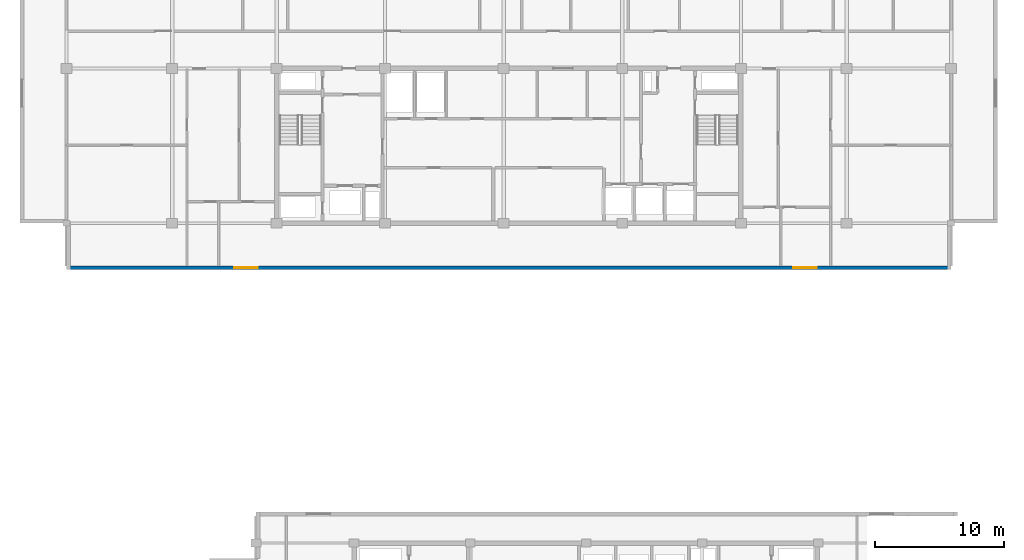
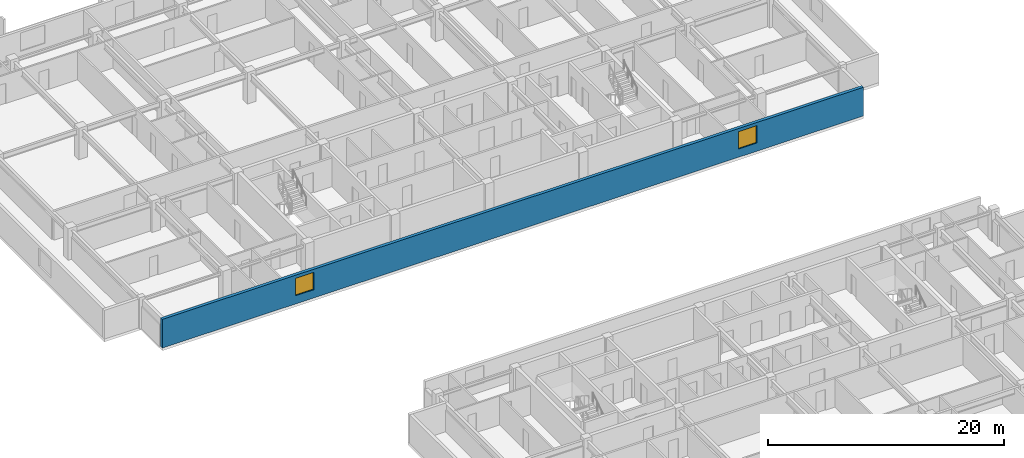
# One storey, part 8 of 21: 2 windows, 1 wall, 2 openings.
"""IFC4 building model written with IfcOpenShell, lengths in metres."""

import ifcopenshell
import ifcopenshell.guid

model = None  # the IFC model being written
_history = None  # IfcOwnerHistory: only IFC2X3 demands one
_inside = {}  # id of a spatial element -> (the spatial element, [elements in it])
_under = {}  # id of a project, library or spatial element -> (it, [spatial elements below it])
_declared = {}  # id of a project -> (the project, [libraries it declares])
_typed = {}  # id of a type object -> (the type object, [elements of that type])
_made_of = {}  # id of a material, layer set ... -> (it, [elements and type objects made of it])


def new_model(schema):
    """Start an empty IFC model of exactly this schema.

    Asked for "IFC4X3", IfcOpenShell would pick the latest addendum, in which some entities
    have other attributes; the version numbers below select the first issue.
    IFC2X3 requires an IfcOwnerHistory on every rooted entity: one is made here for all.
    """
    global model, _history
    if schema == "IFC4X3":
        model = ifcopenshell.file(schema_version=(4, 3, 0, 0))
    else:
        model = ifcopenshell.file(schema=schema)
    _inside.clear()
    _under.clear()
    _declared.clear()
    _typed.clear()
    _made_of.clear()
    _history = None
    if model.schema == "IFC2X3":
        org = make("IfcOrganization", Name="unknown")
        user = make(
            "IfcPersonAndOrganization",
            ThePerson=make("IfcPerson", FamilyName="unknown"),
            TheOrganization=org,
        )
        app = make(
            "IfcApplication",
            ApplicationDeveloper=org,
            Version="unknown",
            ApplicationFullName="unknown",
            ApplicationIdentifier="unknown",
        )
        _history = make(
            "IfcOwnerHistory",
            OwningUser=user,
            OwningApplication=app,
            ChangeAction="ADDED",
            CreationDate=0,
        )
    return model


def make(cls, **values):
    """One entity of the class cls with the attributes given. An attribute that is None is left unset."""
    return model.create_entity(
        cls, **{name: value for name, value in values.items() if value is not None}
    )


def rooted(cls, **values):
    """An entity with a GlobalId (a new one), such as an element, a storey or a relation."""
    return make(cls, GlobalId=ifcopenshell.guid.new(), OwnerHistory=_history, **values)


def si_unit(unit_type, name, prefix=None):
    """IfcSIUnit, for example si_unit("LENGTHUNIT", "METRE", prefix="MILLI")."""
    return make("IfcSIUnit", UnitType=unit_type, Prefix=prefix, Name=name)


def assignment(units):
    """IfcUnitAssignment: the units of a project."""
    return None if units is None else make("IfcUnitAssignment", Units=units)


def point(xyz):
    """IfcCartesianPoint."""
    return None if xyz is None else make("IfcCartesianPoint", Coordinates=xyz)


def direction(xyz):
    """IfcDirection."""
    return None if xyz is None else make("IfcDirection", DirectionRatios=xyz)


def frame(location, z_axis=None, x_axis=None):
    """IfcAxis2Placement3D, a coordinate frame: its origin and axes. An axis left out is left unset."""
    return make(
        "IfcAxis2Placement3D",
        Location=point(location),
        Axis=direction(z_axis),
        RefDirection=direction(x_axis),
    )


def frame_2d(location, x_axis=None):
    """IfcAxis2Placement2D, a coordinate frame in the plane: its origin and x axis."""
    return make(
        "IfcAxis2Placement2D", Location=point(location), RefDirection=direction(x_axis)
    )


def origin():
    """The frame at (0, 0, 0) with its axes left unset."""
    return frame((0.0, 0.0, 0.0))


def place(relative_to, where):
    """IfcLocalPlacement: puts the frame where relative to a parent placement (None: the world)."""
    return make(
        "IfcLocalPlacement", PlacementRelTo=relative_to, RelativePlacement=where
    )


def context(
    kind, dimensions, precision=None, world=None, true_north=None, identifier=None
):
    """IfcGeometricRepresentationContext, for example the 3D "Model" context."""
    return make(
        "IfcGeometricRepresentationContext",
        ContextIdentifier=identifier,
        ContextType=kind,
        CoordinateSpaceDimension=dimensions,
        Precision=precision,
        WorldCoordinateSystem=world,
        TrueNorth=true_north,
    )


def subcontext(parent, identifier, kind, view, scale=None):
    """IfcGeometricRepresentationSubContext, for example "Body" below "Model"."""
    return make(
        "IfcGeometricRepresentationSubContext",
        ContextIdentifier=identifier,
        ContextType=kind,
        ParentContext=parent,
        TargetScale=scale,
        TargetView=view,
    )


def project(units=None, contexts=None):
    """IfcProject with its units and contexts."""
    return rooted(
        "IfcProject",
        Name="project",
        RepresentationContexts=contexts,
        UnitsInContext=assignment(units),
    )


def spatial(cls, under=None, at=None, **own):
    """A site, building, storey or space (cls), placed at a placement, below another one or the project."""
    s = rooted(cls, ObjectPlacement=at, **own)
    if under is not None:
        _under.setdefault(under.id(), (under, []))[1].append(s)
    return s


def profile(cls, at=None, kind="AREA", **sizes):
    """A parametric profile (cls). Its sizes go by their IFC names, for example OverallWidth=200.0."""
    return make(cls, ProfileType=kind, Position=at, **sizes)


def rectangle(**sizes):
    """IfcRectangleProfileDef."""
    return profile("IfcRectangleProfileDef", **sizes)


def extrude(swept, where, along, depth):
    """IfcExtrudedAreaSolid: the profile swept, set in the frame where, extruded along a direction by depth."""
    return make(
        "IfcExtrudedAreaSolid",
        SweptArea=swept,
        Position=where,
        ExtrudedDirection=direction(along),
        Depth=depth,
    )


def shape(context_of_items, identifier, shape_type, items):
    """IfcShapeRepresentation: the items that make up one representation, for example the "Body"."""
    return make(
        "IfcShapeRepresentation",
        ContextOfItems=context_of_items,
        RepresentationIdentifier=identifier,
        RepresentationType=shape_type,
        Items=items,
    )


def material(Name=None, Category=None):
    """IfcMaterial."""
    return make("IfcMaterial", Name=Name, Category=Category)


def layer(
    of_material, thickness, ventilated=None, Name=None, Category=None, Priority=None
):
    """IfcMaterialLayer: one layer of a wall or slab, of a material (None: an air gap)."""
    return make(
        "IfcMaterialLayer",
        Material=of_material,
        LayerThickness=thickness,
        IsVentilated=ventilated,
        Name=Name,
        Category=Category,
        Priority=Priority,
    )


def layer_set(layers, Name=None):
    """IfcMaterialLayerSet."""
    return make("IfcMaterialLayerSet", MaterialLayers=layers, LayerSetName=Name)


def made_of(thing, what):
    """Note that an element or type object is made of a material, layer set ...; save() writes the relation."""
    if what is not None:
        _made_of.setdefault(what.id(), (what, []))[1].append(thing)
    return thing


def type_object(cls, material=None, **own):
    """A type object (cls), such as IfcWallType, which elements share."""
    return made_of(rooted(cls, **own), material)


def element(
    cls,
    number,
    at=None,
    inside=None,
    cuts=None,
    type_object=None,
    material=None,
    context=None,
    identifier="Body",
    shape_type=None,
    held_by="IfcProductDefinitionShape",
    body=None,
    shapes=None,
    **own,
):
    """One element of the class cls, such as IfcWall. Its Tag is "e" and its number.

    at: its placement. inside: the storey or other place that contains it. cuts: it is an
    opening in that element (IfcRelVoidsElement). A single representation is given by context,
    identifier, shape_type and body (its items); several are given by shapes. held_by: the class
    of the entity that holds the representations. save() writes the other relations.
    """
    e = rooted(cls, Tag="e%d" % number, ObjectPlacement=at, **own)
    if body is not None:
        shapes = [shape(context, identifier, shape_type, body)]
    if shapes is not None:
        e.Representation = make(held_by, Representations=shapes)
    if inside is not None:
        _inside.setdefault(inside.id(), (inside, []))[1].append(e)
    if cuts is not None:
        rooted(
            "IfcRelVoidsElement", RelatingBuildingElement=cuts, RelatedOpeningElement=e
        )
    if type_object is not None:
        _typed.setdefault(type_object.id(), (type_object, []))[1].append(e)
    return made_of(e, material)


def fill(opening, filler):
    """IfcRelFillsElement: the door or window that sits in an opening."""
    return rooted(
        "IfcRelFillsElement",
        RelatingOpeningElement=opening,
        RelatedBuildingElement=filler,
    )


def aggregate(whole, parts):
    """IfcRelAggregates: a whole, such as a stair, and the parts it consists of."""
    return rooted("IfcRelAggregates", RelatingObject=whole, RelatedObjects=parts)


def save(model, path):
    """Write the relations noted so far, then the file.

    IfcRelAggregates (storeys below a building ...), IfcRelContainedInSpatialStructure (elements
    in a storey), IfcRelDefinesByType, IfcRelAssociatesMaterial and IfcRelDeclares: one each for
    every whole, place, type object, material and project.
    """
    for whole, parts in _under.values():
        aggregate(whole, parts)
    for where, things in _inside.values():
        rooted(
            "IfcRelContainedInSpatialStructure",
            RelatedElements=things,
            RelatingStructure=where,
        )
    for kind, things in _typed.values():
        rooted("IfcRelDefinesByType", RelatedObjects=things, RelatingType=kind)
    for what, things in _made_of.values():
        rooted("IfcRelAssociatesMaterial", RelatedObjects=things, RelatingMaterial=what)
    for by, libraries in _declared.values():
        rooted("IfcRelDeclares", RelatingContext=by, RelatedDefinitions=libraries)
    model.write(path)


model = new_model("IFC4")

# Units and contexts
model_context = context("Model", 3, precision=1e-05, world=origin(), true_north=direction((0.0, 1.0)))
body_context = subcontext(model_context, "Body", "Model", "MODEL_VIEW")
ifc_project = project(units=[si_unit("LENGTHUNIT", "METRE"), si_unit("AREAUNIT", "SQUARE_METRE"), si_unit("VOLUMEUNIT", "CUBIC_METRE"), si_unit("PLANEANGLEUNIT", "RADIAN"), si_unit("MASSUNIT", "GRAM", prefix="KILO")], contexts=[model_context])

# Site, building, storey
site_placement = place(None, origin())
site = spatial("IfcSite", under=ifc_project, at=site_placement, CompositionType="ELEMENT")
building_placement = place(site_placement, origin())
building = spatial("IfcBuilding", under=site, at=building_placement, Name="Korimba Cascade Residences", CompositionType="ELEMENT")
storey_placement = place(building_placement, frame((0.0, 0.0, 188.10009765625)))
storey = spatial("IfcBuildingStorey", under=building, at=storey_placement, Name="L54", CompositionType="ELEMENT", Elevation=188.10009765625)

# Wall, openings, windows
ifc_material_1 = material(Name="Precast concrete C40/50", Category="concrete")
ifc_layer = layer(ifc_material_1, 0.300048828125)
ifc_layer_set = layer_set([ifc_layer], Name="Precast concrete C40/50")
wall_type = type_object("IfcWallType", Name="EW-STONE-300", PredefinedType="STANDARD", material=ifc_layer_set)
wall_placement = place(storey_placement, frame((59.800048828125, 51.75, 0.0), z_axis=(0.0, 0.0, 1.0), x_axis=(1.0, 0.0, 0.0)))
wall = element("IfcWall", 1, at=wall_placement, inside=storey, type_object=wall_type, Name="L54 T1 Perimeter Stone Wall E00", PredefinedType="STANDARD", context=body_context, shape_type="SweptSolid", body=[
    extrude(rectangle(XDim=68.599853515625, YDim=0.300048828125, at=frame_2d((34.2998046875, 0.0))), origin(), (0.0, 0.0, 1.0), 2.969970703125),
])
opening_1_placement = place(wall_placement, frame((13.02490234375, 0.0, 0.85009765625)))
opening_1 = element("IfcOpeningElement", 2, at=opening_1_placement, cuts=wall, Name="Opening W-02", PredefinedType="OPENING", context=body_context, shape_type="SweptSolid", body=[
    extrude(rectangle(XDim=1.800048828125, YDim=1.800048828125, at=frame_2d((0.89990234375, 0.89990234375))), frame((0.0, 0.16015625, 0.0), z_axis=(0.0, -1.0, 0.0), x_axis=(1.0, 0.0, 0.0)), (0.0, 0.0, 1.0), 0.320068359375),
])
opening_2_placement = place(wall_placement, frame((56.375, 0.0, 0.85009765625)))
opening_2 = element("IfcOpeningElement", 3, at=opening_2_placement, cuts=wall, Name="Opening W-02", PredefinedType="OPENING", context=body_context, shape_type="SweptSolid", body=[
    extrude(rectangle(XDim=1.800048828125, YDim=1.800048828125, at=frame_2d((0.89990234375, 0.89990234375))), frame((0.0, 0.16015625, 0.0), z_axis=(0.0, -1.0, 0.0), x_axis=(1.0, 0.0, 0.0)), (0.0, 0.0, 1.0), 0.320068359375),
])
ifc_material_2 = material(Name="Double-Glazed Aluminium Window", Category="aluminium")
window_type = type_object("IfcWindowType", Name="WIN-BED-1800", PartitioningType="SINGLE_PANEL", PredefinedType="WINDOW", material=ifc_material_2)
window_1_placement = place(opening_1_placement, origin())
window_1 = element("IfcWindow", 4, at=window_1_placement, inside=storey, type_object=window_type, Name="L54 T1 South Corner Bedroom Window 1", OverallHeight=1.800048828125, OverallWidth=1.800048828125, PartitioningType="SINGLE_PANEL", PredefinedType="WINDOW", context=body_context, shape_type="SweptSolid", body=[
    extrude(rectangle(XDim=1.800048828125, YDim=1.800048828125, at=frame_2d((0.89990234375, 0.89990234375))), frame((0.0, 0.030029296875, 0.0), z_axis=(0.0, -1.0, 0.0), x_axis=(1.0, 0.0, 0.0)), (0.0, 0.0, 1.0), 0.06005859375),
])
fill(opening_1, window_1)
window_2_placement = place(opening_2_placement, origin())
window_2 = element("IfcWindow", 5, at=window_2_placement, inside=storey, type_object=window_type, Name="L54 T1 South Corner Bedroom Window 2", OverallHeight=1.800048828125, OverallWidth=1.800048828125, PartitioningType="SINGLE_PANEL", PredefinedType="WINDOW", context=body_context, shape_type="SweptSolid", body=[
    extrude(rectangle(XDim=1.800048828125, YDim=1.800048828125, at=frame_2d((0.89990234375, 0.89990234375))), frame((0.0, 0.030029296875, 0.0), z_axis=(0.0, -1.0, 0.0), x_axis=(1.0, 0.0, 0.0)), (0.0, 0.0, 1.0), 0.06005859375),
])
fill(opening_2, window_2)

save(model, "model.ifc")
